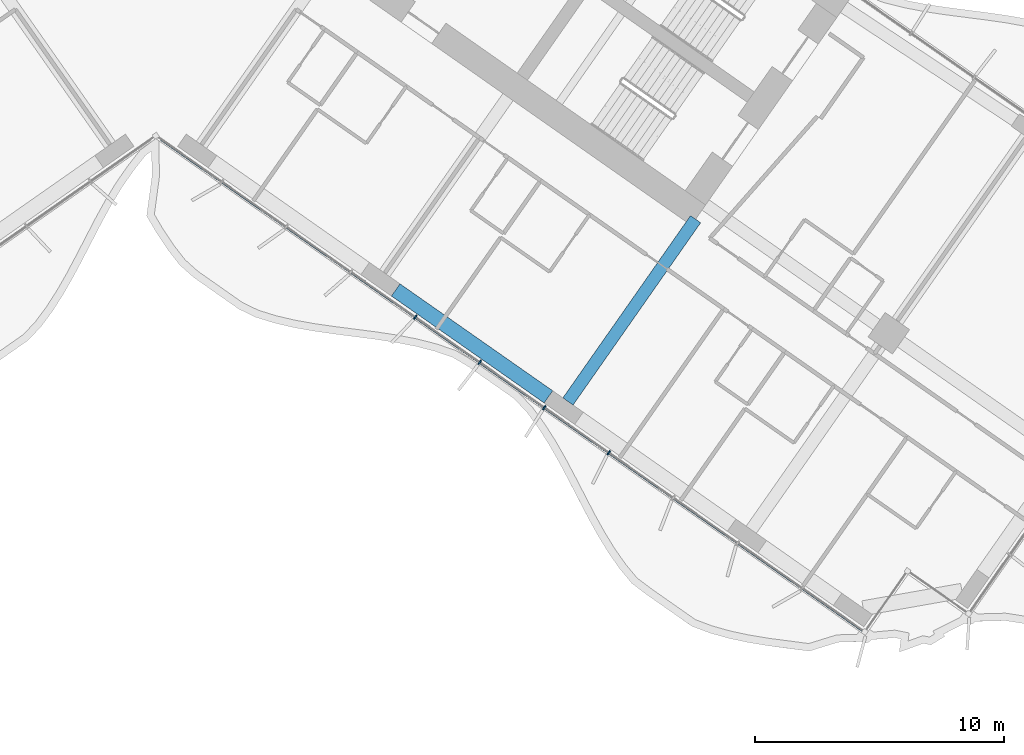
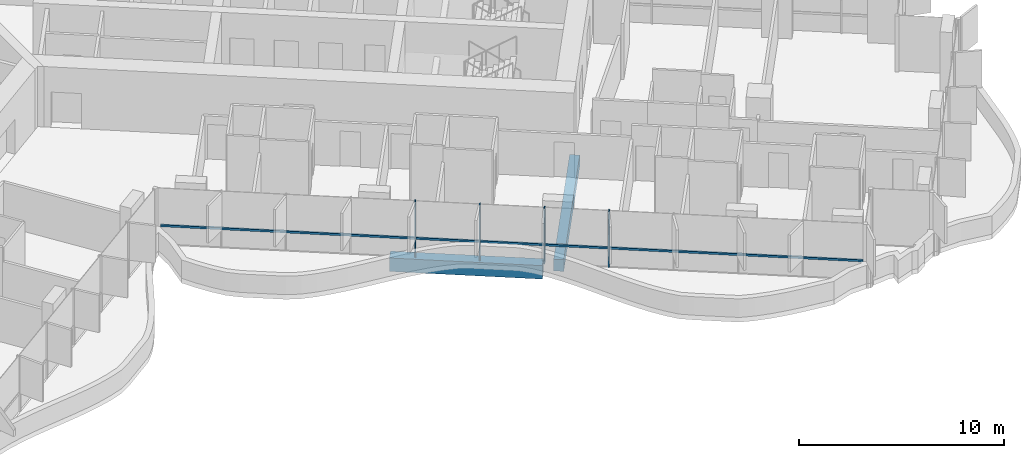
# One storey, part 5 of 24: 5 members, 2 beams, 1 element without a shape of its own.
"""IFC4 building model written with IfcOpenShell, lengths in metres."""

from ifc_helpers import new_model, si_unit, direction, frame, origin, origin_2d, place, context, subcontext, project, spatial, rectangle, extrude, material, material_profile, profile_set, type_object, element, aggregate, save


model = new_model("IFC4")

# Units and contexts
model_context = context("Model", 3, precision=1e-05, world=origin(), true_north=direction((0.0, 1.0)))
body_context = subcontext(model_context, "Body", "Model", "MODEL_VIEW")
ifc_project = project(units=[si_unit("LENGTHUNIT", "METRE"), si_unit("AREAUNIT", "SQUARE_METRE"), si_unit("VOLUMEUNIT", "CUBIC_METRE"), si_unit("PLANEANGLEUNIT", "RADIAN"), si_unit("MASSUNIT", "GRAM", prefix="KILO")], contexts=[model_context])

# Site, building, storey
site_placement = place(None, origin())
site = spatial("IfcSite", under=ifc_project, at=site_placement, CompositionType="ELEMENT")
building_placement = place(site_placement, origin())
building = spatial("IfcBuilding", under=site, at=building_placement, Name="Tel Ilan Convention Tower", CompositionType="ELEMENT")
storey_placement = place(building_placement, frame((0.0, 0.0, 90.5)))
storey = spatial("IfcBuildingStorey", under=building, at=storey_placement, Name="L18", CompositionType="ELEMENT", Elevation=90.5)

# Beams
ifc_material_1 = material(Name="Concrete C40/50", Category="concrete")
ifc_material_profile_1 = material_profile(ifc_material_1, rectangle(XDim=0.5, YDim=0.699951171875, at=origin_2d()), Name="RC 500x700")
ifc_profile_set_1 = profile_set([ifc_material_profile_1], Name="Concrete C40/50")
beam_type_1 = type_object("IfcBeamType", Name="Beam RC 500x700 Concrete C40/50", PredefinedType="BEAM", material=ifc_profile_set_1)
beam_1_placement = place(storey_placement, frame((16.58203125, -23.391357421875, -0.6298828125), z_axis=(0.573584999642, 0.819146048141, 0.0), x_axis=(-0.819146048141, 0.573584999642, 0.0)))
element("IfcBeam", 1, at=beam_1_placement, inside=storey, type_object=beam_type_1, Name="L18 beam E-E-F3-core", PredefinedType="BEAM", context=body_context, shape_type="SweptSolid", body=[
    extrude(rectangle(XDim=0.5, YDim=0.699951171875, at=origin_2d()), origin(), (0.0, 0.0, 1.0), 8.949951171875),
])
ifc_material_2 = material(Name="Concrete C40/50", Category="concrete")
ifc_material_profile_2 = material_profile(ifc_material_2, rectangle(XDim=0.60009765625, YDim=0.800048828125, at=origin_2d()), Name="RC 600x800")
ifc_profile_set_2 = profile_set([ifc_material_profile_2], Name="Concrete C40/50")
beam_type_2 = type_object("IfcBeamType", Name="Beam RC 600x800 Concrete C40/50", PredefinedType="BEAM", material=ifc_profile_set_2)
beam_2_placement = place(storey_placement, frame((9.652099609375, -18.905029296875, -0.679931640625), z_axis=(0.81915238829, -0.573575945067, 0.0), x_axis=(0.573575945067, 0.81915238829, 0.0)))
element("IfcBeam", 2, at=beam_2_placement, inside=storey, type_object=beam_type_2, Name="L18 beam E-E-F2-E-F3", PredefinedType="BEAM", context=body_context, shape_type="SweptSolid", body=[
    extrude(rectangle(XDim=0.60009765625, YDim=0.800048828125, at=origin_2d()), origin(), (0.0, 0.0, 1.0), 7.5),
])

# Curtain wall, members
ifc_material_3 = material(Name="Aluminium, bronze anodised", Category="aluminium")
curtain_wall_type = type_object("IfcCurtainWallType", Name="CW1 UNITISED CURTAIN WALL, HOTEL TINTED GLASS", PredefinedType="NOTDEFINED", material=ifc_material_3)
curtain_wall_placement = place(storey_placement, origin())
curtain_wall = element("IfcCurtainWall", 3, at=curtain_wall_placement, inside=storey, type_object=curtain_wall_type, Name="Curtain wall CW1-16.02", PredefinedType="NOTDEFINED")
ifc_material_4 = material(Name="Aluminium, bronze anodised", Category="aluminium")
ifc_material_profile_3 = material_profile(ifc_material_4, rectangle(XDim=0.06005859375, YDim=0.199951171875, at=origin_2d()), Name="CW MULLION 60x200")
ifc_profile_set_3 = profile_set([ifc_material_profile_3], Name="Aluminium, bronze anodised")
member_type_1 = type_object("IfcMemberType", Name="CW MULLION 60x200", PredefinedType="MULLION", material=ifc_profile_set_3)
member_1_placement = place(storey_placement, frame((10.4375, -20.004638671875, 0.0), z_axis=(0.0, 0.0, 1.0), x_axis=(0.819152044289, -0.573576436351, 0.0)))
member_1 = element("IfcMember", 4, at=member_1_placement, type_object=member_type_1, Name="Mullion", PredefinedType="MULLION", context=body_context, shape_type="SweptSolid", body=[
    extrude(rectangle(XDim=0.06005859375, YDim=0.199951171875, at=origin_2d()), origin(), (0.0, 0.0, 1.0), 3.320068359375),
])
member_2_placement = place(storey_placement, frame((13.03271484375, -21.821533203125, 0.0), z_axis=(0.0, 0.0, 1.0), x_axis=(0.819152044289, -0.573576436351, 0.0)))
member_2 = element("IfcMember", 5, at=member_2_placement, type_object=member_type_1, Name="Mullion", PredefinedType="MULLION", context=body_context, shape_type="SweptSolid", body=[
    extrude(rectangle(XDim=0.06005859375, YDim=0.199951171875, at=origin_2d()), origin(), (0.0, 0.0, 1.0), 3.320068359375),
])
member_3_placement = place(storey_placement, frame((15.627685546875, -23.638671875, 0.0), z_axis=(0.0, 0.0, 1.0), x_axis=(0.819152044289, -0.573576436351, 0.0)))
member_3 = element("IfcMember", 6, at=member_3_placement, type_object=member_type_1, Name="Mullion", PredefinedType="MULLION", context=body_context, shape_type="SweptSolid", body=[
    extrude(rectangle(XDim=0.06005859375, YDim=0.199951171875, at=origin_2d()), origin(), (0.0, 0.0, 1.0), 3.320068359375),
])
member_4_placement = place(storey_placement, frame((18.222900390625, -25.455810546875, 0.0), z_axis=(0.0, 0.0, 1.0), x_axis=(0.819152044289, -0.573576436351, 0.0)))
member_4 = element("IfcMember", 7, at=member_4_placement, type_object=member_type_1, Name="Mullion", PredefinedType="MULLION", context=body_context, shape_type="SweptSolid", body=[
    extrude(rectangle(XDim=0.06005859375, YDim=0.199951171875, at=origin_2d()), origin(), (0.0, 0.0, 1.0), 3.320068359375),
])
ifc_material_5 = material(Name="Aluminium, bronze anodised", Category="aluminium")
ifc_material_profile_4 = material_profile(ifc_material_5, rectangle(XDim=0.10009765625, YDim=0.1201171875, at=origin_2d()), Name="CW TRANSOM 100x120")
ifc_profile_set_4 = profile_set([ifc_material_profile_4], Name="Aluminium, bronze anodised")
member_type_2 = type_object("IfcMemberType", Name="CW TRANSOM 100x120", PredefinedType="USERDEFINED", material=ifc_profile_set_4)
member_5_placement = place(storey_placement, frame((0.22119140625, -12.850830078125, 1.10009765625), z_axis=(0.819151003602, -0.573577922604, 0.0), x_axis=(0.573577922604, 0.819151003602, 0.0)))
member_5 = element("IfcMember", 8, at=member_5_placement, type_object=member_type_2, Name="Transom", ObjectType="TRANSOM", PredefinedType="USERDEFINED", context=body_context, shape_type="SweptSolid", body=[
    extrude(rectangle(XDim=0.10009765625, YDim=0.1201171875, at=origin_2d()), origin(), (0.0, 0.0, 1.0), 34.447998046875),
])
aggregate(curtain_wall, [member_1, member_2, member_3, member_4, member_5])

save(model, "model.ifc")
